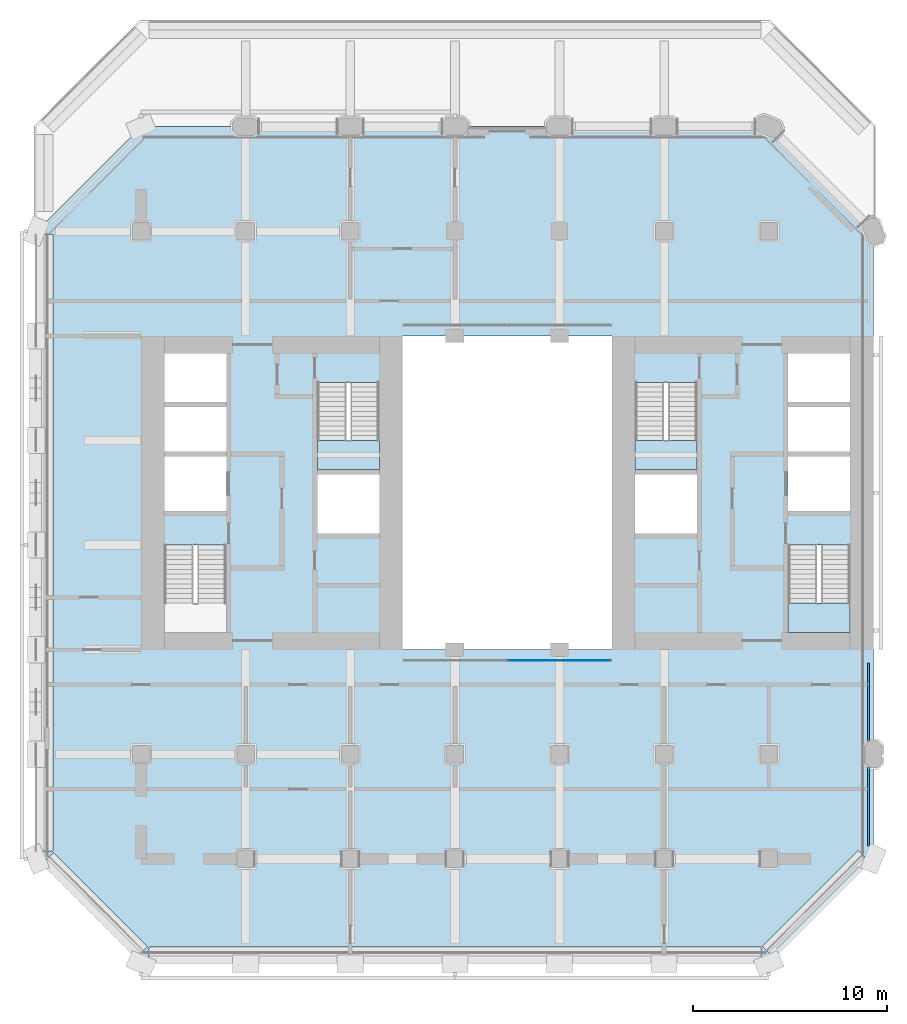
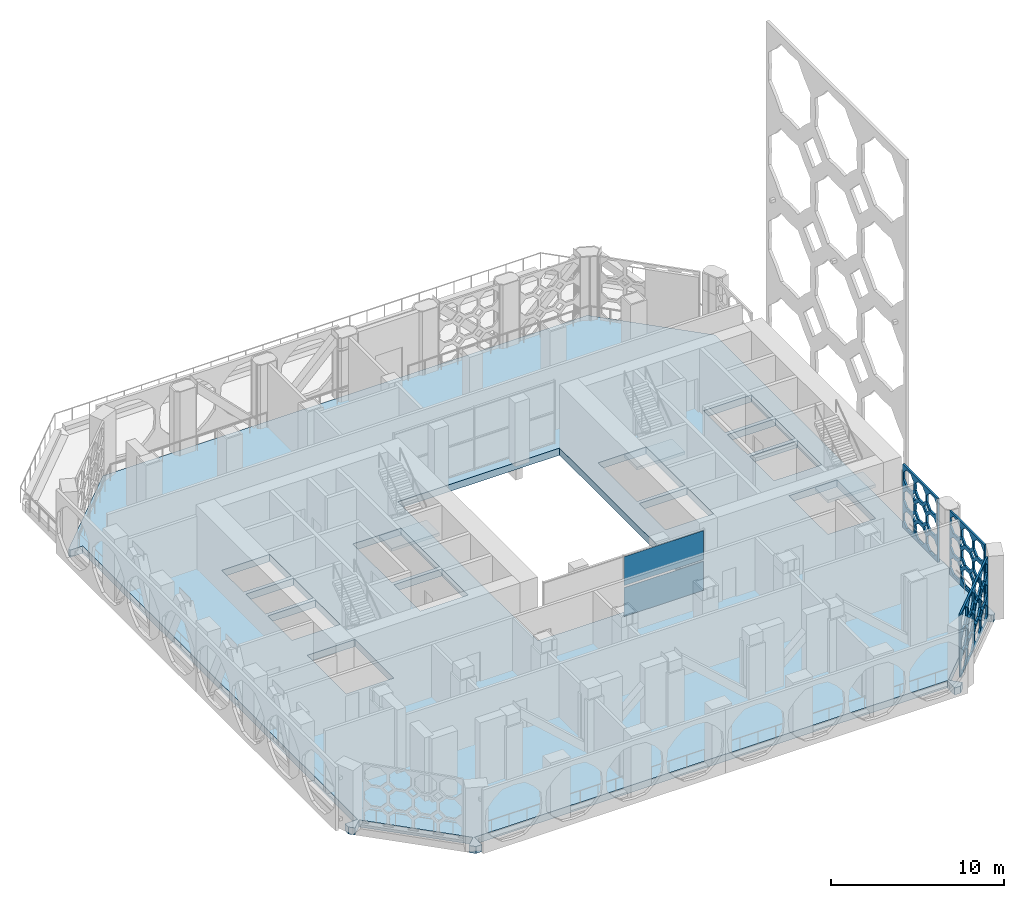
# One storey, part 6 of 17: 5 plates, 4 slabs, 4 elements without a shape of their own.
"""IFC4 building model written with IfcOpenShell, lengths in metres."""

from ifc_helpers import new_model, si_unit, direction, frame, origin, origin_2d, place, context, subcontext, project, spatial, polyline, rectangle, outline, extrude, material, layer, layer_set, type_object, element, aggregate, save


model = new_model("IFC4")

# Units and contexts
model_context = context("Model", 3, precision=1e-05, world=origin(), true_north=direction((0.0, 1.0)))
body_context = subcontext(model_context, "Body", "Model", "MODEL_VIEW")
ifc_project = project(units=[si_unit("LENGTHUNIT", "METRE"), si_unit("AREAUNIT", "SQUARE_METRE"), si_unit("VOLUMEUNIT", "CUBIC_METRE"), si_unit("PLANEANGLEUNIT", "RADIAN"), si_unit("MASSUNIT", "GRAM", prefix="KILO")], contexts=[model_context])

# Site, building, storey
site_placement = place(None, origin())
site = spatial("IfcSite", under=ifc_project, at=site_placement, CompositionType="ELEMENT")
building_placement = place(site_placement, origin())
building = spatial("IfcBuilding", under=site, at=building_placement, Name="Tabaq Tower and Sports Hall", CompositionType="ELEMENT")
storey_placement = place(building_placement, frame((0.0, 0.0, 125.800048828125)))
storey = spatial("IfcBuildingStorey", under=building, at=storey_placement, Name="L30", CompositionType="ELEMENT", Elevation=125.800048828125)

# Curtain wall, plates
ifc_material_1 = material(Name="Aluminium alloy 6063-T6 framed glazing", Category="aluminium")
curtain_wall_type = type_object("IfcCurtainWallType", Name="CW1 curtain wall", PredefinedType="USERDEFINED", material=ifc_material_1)
curtain_wall_placement = place(storey_placement, origin())
curtain_wall = element("IfcCurtainWall", 1, at=curtain_wall_placement, inside=storey, type_object=curtain_wall_type, Name="Atrium glazing L30 S", ObjectType="ATRIUM ENCLOSURE", PredefinedType="USERDEFINED")
ifc_material_2 = material(Name="Clear low-emissivity glass 28 mm", Category="glass")
ifc_layer_1 = layer(ifc_material_2, 0.028076171875)
ifc_layer_set_1 = layer_set([ifc_layer_1], Name="CW1 glass panel 28")
plate_type_1 = type_object("IfcPlateType", Name="CW1 glass panel 28", PredefinedType="CURTAIN_PANEL", material=ifc_layer_set_1)
plate_1_placement = place(storey_placement, frame((26.985107421875, 15.64990234375, 0.139892578125), z_axis=(0.0, 0.0, 1.0), x_axis=(1.0, 0.0, 0.0)))
plate_1 = element("IfcPlate", 2, at=plate_1_placement, type_object=plate_type_1, Name="CW1 panel 2.1", PredefinedType="CURTAIN_PANEL", context=body_context, shape_type="SweptSolid", body=[
    extrude(rectangle(XDim=5.31005859375, YDim=0.028076171875, at=origin_2d()), origin(), (0.0, 0.0, 1.0), 2.0400390625),
])
plate_2_placement = place(storey_placement, frame((26.985107421875, 15.64990234375, 2.31982421875), z_axis=(0.0, 0.0, 1.0), x_axis=(1.0, 0.0, 0.0)))
plate_2 = element("IfcPlate", 3, at=plate_2_placement, type_object=plate_type_1, Name="CW1 panel 2.2", PredefinedType="CURTAIN_PANEL", context=body_context, shape_type="SweptSolid", body=[
    extrude(rectangle(XDim=5.31005859375, YDim=0.028076171875, at=origin_2d()), origin(), (0.0, 0.0, 1.0), 2.0400390625),
])
aggregate(curtain_wall, [plate_1, plate_2])

# Stair, slab
ifc_material_3 = material(Name="Concrete C40/50", Category="concrete")
stair_type = type_object("IfcStairType", Name="Exit stair", PredefinedType="HALF_TURN_STAIR", material=ifc_material_3)
stair_1_placement = place(storey_placement, origin())
stair_1 = element("IfcStair", 4, at=stair_1_placement, inside=storey, type_object=stair_type, Name="L30 Exit stair ST2", PredefinedType="HALF_TURN_STAIR")
ifc_material_4 = material(Name="Concrete C40/50", Category="concrete")
ifc_layer_2 = layer(ifc_material_4, 0.199951171875)
ifc_layer_set_2 = layer_set([ifc_layer_2], Name="Exit stair landing")
slab_type_1 = type_object("IfcSlabType", Name="Exit stair landing", PredefinedType="LANDING", material=ifc_layer_set_2)
slab_1_placement = place(storey_placement, frame((0.0, 0.0, 2.199951171875)))
slab_1 = element("IfcSlab", 5, at=slab_1_placement, type_object=slab_type_1, Name="ST2 landing 1", PredefinedType="LANDING", context=body_context, shape_type="SweptSolid", body=[
    extrude(outline(polyline([(14.5, 27.0), (14.5, 25.5), (17.699951171875, 25.5), (17.699951171875, 27.0), (14.5, 27.0)])), origin(), (0.0, 0.0, 1.0), 0.199951171875),
])
aggregate(stair_1, [slab_1])

stair_2_placement = place(storey_placement, origin())
stair_2 = element("IfcStair", 6, at=stair_2_placement, inside=storey, type_object=stair_type, Name="L30 Exit stair ST3", PredefinedType="HALF_TURN_STAIR")
slab_2_placement = place(storey_placement, frame((0.0, 0.0, 2.199951171875)))
slab_2 = element("IfcSlab", 7, at=slab_2_placement, type_object=slab_type_1, Name="ST3 landing 1", PredefinedType="LANDING", context=body_context, shape_type="SweptSolid", body=[
    extrude(outline(polyline([(38.800048828125, 18.60009765625), (38.800048828125, 17.10009765625), (42.0, 17.10009765625), (42.0, 18.60009765625), (38.800048828125, 18.60009765625)])), origin(), (0.0, 0.0, 1.0), 0.199951171875),
])
aggregate(stair_2, [slab_2])

stair_3_placement = place(storey_placement, origin())
stair_3 = element("IfcStair", 8, at=stair_3_placement, inside=storey, type_object=stair_type, Name="L30 Exit stair ST4", PredefinedType="HALF_TURN_STAIR")
slab_3_placement = place(storey_placement, frame((0.0, 0.0, 2.199951171875)))
slab_3 = element("IfcSlab", 9, at=slab_3_placement, type_object=slab_type_1, Name="ST4 landing 1", PredefinedType="LANDING", context=body_context, shape_type="SweptSolid", body=[
    extrude(outline(polyline([(30.89990234375, 27.0), (30.89990234375, 25.5), (34.10009765625, 25.5), (34.10009765625, 27.0), (30.89990234375, 27.0)])), origin(), (0.0, 0.0, 1.0), 0.199951171875),
])
aggregate(stair_3, [slab_3])

# Slab
ifc_material_5 = material(Name="Concrete C40/50", Category="concrete")
ifc_layer_3 = layer(ifc_material_5, 0.5)
ifc_layer_set_3 = layer_set([ifc_layer_3], Name="PT FLOOR SLAB 500 C40/50")
slab_type_2 = type_object("IfcSlabType", Name="PT FLOOR SLAB 500 C40/50", PredefinedType="FLOOR", material=ifc_layer_set_3)
slab_4_placement = place(storey_placement, frame((0.0, 0.0, -0.5)))
element("IfcSlab", 10, at=slab_4_placement, inside=storey, type_object=slab_type_2, Name="Floor Slab L30", PredefinedType="FLOOR", context=body_context, shape_type="SweptSolid", body=[
    extrude(outline(polyline([(0.0, 5.802001953125), (0.0, 5.39990234375), (0.284423828125, 5.11572265625), (0.814697265625, 5.64599609375), (0.88525390625, 5.716796875), (5.716796875, 0.88525390625), (5.64599609375, 0.814697265625), (5.11572265625, 0.284423828125), (5.39990234375, 0.0), (5.802001953125, 0.0), (5.802001953125, 0.75), (5.802001953125, 0.85009765625), (37.39794921875, 0.85009765625), (37.39794921875, 0.75), (37.39794921875, 0.0), (37.800048828125, 0.0), (38.084228515625, 0.284423828125), (37.483154296875, 0.88525390625), (42.422119140625, 5.82421875), (42.492919921875, 5.753662109375), (43.023193359375, 5.22314453125), (43.199951171875, 5.39990234375), (43.199951171875, 37.800048828125), (37.800048828125, 43.199951171875), (5.39990234375, 43.199951171875), (0.0, 37.800048828125), (0.0, 37.63818359375), (0.75, 37.63818359375), (0.85009765625, 37.63818359375), (0.85009765625, 5.802001953125), (0.75, 5.802001953125), (0.0, 5.802001953125)]), holes=[polyline([(6.60009765625, 21.599365234375), (9.800048828125, 21.599365234375), (9.800048828125, 17.10009765625), (6.60009765625, 17.10009765625), (6.60009765625, 21.599365234375)]), polyline([(17.699951171875, 25.25), (17.699951171875, 22.199951171875), (14.5, 22.199951171875), (14.5, 25.25), (17.699951171875, 25.25)]), polyline([(18.89990234375, 32.39990234375), (29.699951171875, 32.39990234375), (29.699951171875, 16.199951171875), (18.89990234375, 16.199951171875), (18.89990234375, 32.39990234375)]), polyline([(6.60009765625, 26.175048828125), (9.800048828125, 26.175048828125), (9.800048828125, 23.35009765625), (6.60009765625, 23.35009765625), (6.60009765625, 26.175048828125)]), polyline([(9.800048828125, 28.72509765625), (9.800048828125, 26.425048828125), (6.60009765625, 26.425048828125), (6.60009765625, 28.72509765625), (9.800048828125, 28.72509765625)]), polyline([(17.699951171875, 29.99951171875), (17.699951171875, 25.5), (14.5, 25.5), (14.5, 29.99951171875), (17.699951171875, 29.99951171875)]), polyline([(6.60009765625, 31.5), (9.800048828125, 31.5), (9.800048828125, 28.97509765625), (6.60009765625, 28.97509765625), (6.60009765625, 31.5)]), polyline([(42.0, 21.599365234375), (42.0, 17.10009765625), (38.800048828125, 17.10009765625), (38.800048828125, 21.599365234375), (42.0, 21.599365234375)]), polyline([(34.10009765625, 25.25), (34.10009765625, 22.199951171875), (30.89990234375, 22.199951171875), (30.89990234375, 25.25), (34.10009765625, 25.25)]), polyline([(42.0, 26.175048828125), (42.0, 23.35009765625), (38.800048828125, 23.35009765625), (38.800048828125, 26.175048828125), (42.0, 26.175048828125)]), polyline([(42.0, 28.72509765625), (42.0, 26.425048828125), (38.800048828125, 26.425048828125), (38.800048828125, 28.72509765625), (42.0, 28.72509765625)]), polyline([(34.10009765625, 29.99951171875), (34.10009765625, 25.5), (30.89990234375, 25.5), (30.89990234375, 29.99951171875), (34.10009765625, 29.99951171875)]), polyline([(42.0, 31.5), (42.0, 28.97509765625), (38.800048828125, 28.97509765625), (38.800048828125, 31.5), (42.0, 31.5)])]), origin(), (0.0, 0.0, 1.0), 0.5),
])

# Plates
ifc_material_6 = material(Name="White precast concrete C60/75 pierced screen", Category="concrete")
ifc_layer_4 = layer(ifc_material_6, 0.1201171875)
ifc_layer_set_4 = layer_set([ifc_layer_4], Name="White precast concrete C60/75 screen 120")
plate_type_2 = type_object("IfcPlateType", Name="White precast concrete C60/75 screen 120", PredefinedType="USERDEFINED", material=ifc_layer_set_4)
plate_3_placement = place(storey_placement, frame((38.20654296875, 0.76025390625, 0.0), z_axis=(0.0, 0.0, 1.0), x_axis=(0.707127170949, 0.707086390836, 0.0)))
element("IfcPlate", 11, at=plate_3_placement, inside=storey, type_object=plate_type_2, Name="Pierced screen L30 SE", ObjectType="SCREEN", PredefinedType="USERDEFINED", context=body_context, shape_type="SweptSolid", body=[
    extrude(outline(polyline([(0.0, 0.0), (5.98681640625, 0.0), (5.98681640625, 4.5), (0.0, 4.5), (0.0, 0.0)]), holes=[polyline([(1.40966796875, 1.05712890625), (1.203857421875, 1.23876953125), (1.022216796875, 1.444580078125), (0.748291015625, 1.427490234375), (0.474365234375, 1.444580078125), (0.29296875, 1.23876953125), (0.087158203125, 1.05712890625), (0.104248046875, 0.783203125), (0.087158203125, 0.50927734375), (0.29296875, 0.327880859375), (0.474365234375, 0.1220703125), (0.748291015625, 0.13916015625), (1.022216796875, 0.1220703125), (1.203857421875, 0.327880859375), (1.40966796875, 0.50927734375), (1.392578125, 0.783203125), (1.40966796875, 1.05712890625)]), polyline([(1.40966796875, 2.52392578125), (1.203857421875, 2.705322265625), (1.022216796875, 2.9111328125), (0.748291015625, 2.89404296875), (0.474365234375, 2.9111328125), (0.29296875, 2.705322265625), (0.087158203125, 2.52392578125), (0.104248046875, 2.25), (0.087158203125, 1.97607421875), (0.29296875, 1.79443359375), (0.474365234375, 1.588623046875), (0.748291015625, 1.605712890625), (1.022216796875, 1.588623046875), (1.203857421875, 1.79443359375), (1.40966796875, 1.97607421875), (1.392578125, 2.25), (1.40966796875, 2.52392578125)]), polyline([(1.40966796875, 3.990478515625), (1.203857421875, 4.172119140625), (1.022216796875, 4.3779296875), (0.748291015625, 4.36083984375), (0.474365234375, 4.3779296875), (0.29296875, 4.172119140625), (0.087158203125, 3.990478515625), (0.104248046875, 3.716552734375), (0.087158203125, 3.442626953125), (0.29296875, 3.26123046875), (0.474365234375, 3.055419921875), (0.748291015625, 3.072509765625), (1.022216796875, 3.055419921875), (1.203857421875, 3.26123046875), (1.40966796875, 3.442626953125), (1.392578125, 3.716552734375), (1.40966796875, 3.990478515625)]), polyline([(2.90625, 1.05712890625), (2.700439453125, 1.23876953125), (2.51904296875, 1.444580078125), (2.2451171875, 1.427490234375), (1.97119140625, 1.444580078125), (1.78955078125, 1.23876953125), (1.583740234375, 1.05712890625), (1.600830078125, 0.783203125), (1.583740234375, 0.50927734375), (1.78955078125, 0.327880859375), (1.97119140625, 0.1220703125), (2.2451171875, 0.13916015625), (2.51904296875, 0.1220703125), (2.700439453125, 0.327880859375), (2.90625, 0.50927734375), (2.88916015625, 0.783203125), (2.90625, 1.05712890625)]), polyline([(2.90625, 2.52392578125), (2.700439453125, 2.705322265625), (2.51904296875, 2.9111328125), (2.2451171875, 2.89404296875), (1.97119140625, 2.9111328125), (1.78955078125, 2.705322265625), (1.583740234375, 2.52392578125), (1.600830078125, 2.25), (1.583740234375, 1.97607421875), (1.78955078125, 1.79443359375), (1.97119140625, 1.588623046875), (2.2451171875, 1.605712890625), (2.51904296875, 1.588623046875), (2.700439453125, 1.79443359375), (2.90625, 1.97607421875), (2.88916015625, 2.25), (2.90625, 2.52392578125)]), polyline([(2.90625, 3.990478515625), (2.700439453125, 4.172119140625), (2.51904296875, 4.3779296875), (2.2451171875, 4.36083984375), (1.97119140625, 4.3779296875), (1.78955078125, 4.172119140625), (1.583740234375, 3.990478515625), (1.600830078125, 3.716552734375), (1.583740234375, 3.442626953125), (1.78955078125, 3.26123046875), (1.97119140625, 3.055419921875), (2.2451171875, 3.072509765625), (2.51904296875, 3.055419921875), (2.700439453125, 3.26123046875), (2.90625, 3.442626953125), (2.88916015625, 3.716552734375), (2.90625, 3.990478515625)]), polyline([(4.403076171875, 1.05712890625), (4.197265625, 1.23876953125), (4.015625, 1.444580078125), (3.74169921875, 1.427490234375), (3.4677734375, 1.444580078125), (3.2861328125, 1.23876953125), (3.08056640625, 1.05712890625), (3.09765625, 0.783203125), (3.08056640625, 0.50927734375), (3.2861328125, 0.327880859375), (3.4677734375, 0.1220703125), (3.74169921875, 0.13916015625), (4.015625, 0.1220703125), (4.197265625, 0.327880859375), (4.403076171875, 0.50927734375), (4.385986328125, 0.783203125), (4.403076171875, 1.05712890625)]), polyline([(4.403076171875, 2.52392578125), (4.197265625, 2.705322265625), (4.015625, 2.9111328125), (3.74169921875, 2.89404296875), (3.4677734375, 2.9111328125), (3.2861328125, 2.705322265625), (3.08056640625, 2.52392578125), (3.09765625, 2.25), (3.08056640625, 1.97607421875), (3.2861328125, 1.79443359375), (3.4677734375, 1.588623046875), (3.74169921875, 1.605712890625), (4.015625, 1.588623046875), (4.197265625, 1.79443359375), (4.403076171875, 1.97607421875), (4.385986328125, 2.25), (4.403076171875, 2.52392578125)]), polyline([(4.403076171875, 3.990478515625), (4.197265625, 4.172119140625), (4.015625, 4.3779296875), (3.74169921875, 4.36083984375), (3.4677734375, 4.3779296875), (3.2861328125, 4.172119140625), (3.08056640625, 3.990478515625), (3.09765625, 3.716552734375), (3.08056640625, 3.442626953125), (3.2861328125, 3.26123046875), (3.4677734375, 3.055419921875), (3.74169921875, 3.072509765625), (4.015625, 3.055419921875), (4.197265625, 3.26123046875), (4.403076171875, 3.442626953125), (4.385986328125, 3.716552734375), (4.403076171875, 3.990478515625)]), polyline([(5.899658203125, 1.05712890625), (5.69384765625, 1.23876953125), (5.51220703125, 1.444580078125), (5.238525390625, 1.427490234375), (4.964599609375, 1.444580078125), (4.782958984375, 1.23876953125), (4.5771484375, 1.05712890625), (4.59423828125, 0.783203125), (4.5771484375, 0.50927734375), (4.782958984375, 0.327880859375), (4.964599609375, 0.1220703125), (5.238525390625, 0.13916015625), (5.51220703125, 0.1220703125), (5.69384765625, 0.327880859375), (5.899658203125, 0.50927734375), (5.882568359375, 0.783203125), (5.899658203125, 1.05712890625)]), polyline([(5.899658203125, 2.52392578125), (5.69384765625, 2.705322265625), (5.51220703125, 2.9111328125), (5.238525390625, 2.89404296875), (4.964599609375, 2.9111328125), (4.782958984375, 2.705322265625), (4.5771484375, 2.52392578125), (4.59423828125, 2.25), (4.5771484375, 1.97607421875), (4.782958984375, 1.79443359375), (4.964599609375, 1.588623046875), (5.238525390625, 1.605712890625), (5.51220703125, 1.588623046875), (5.69384765625, 1.79443359375), (5.899658203125, 1.97607421875), (5.882568359375, 2.25), (5.899658203125, 2.52392578125)]), polyline([(5.899658203125, 3.990478515625), (5.69384765625, 4.172119140625), (5.51220703125, 4.3779296875), (5.238525390625, 4.36083984375), (4.964599609375, 4.3779296875), (4.782958984375, 4.172119140625), (4.5771484375, 3.990478515625), (4.59423828125, 3.716552734375), (4.5771484375, 3.442626953125), (4.782958984375, 3.26123046875), (4.964599609375, 3.055419921875), (5.238525390625, 3.072509765625), (5.51220703125, 3.055419921875), (5.69384765625, 3.26123046875), (5.899658203125, 3.442626953125), (5.882568359375, 3.716552734375), (5.899658203125, 3.990478515625)]), polyline([(1.7900390625, 1.5166015625), (1.49658203125, 1.81005859375), (1.203369140625, 1.5166015625), (1.49658203125, 1.223388671875), (1.7900390625, 1.5166015625)]), polyline([(1.7900390625, 2.9833984375), (1.49658203125, 3.276611328125), (1.203369140625, 2.9833984375), (1.49658203125, 2.68994140625), (1.7900390625, 2.9833984375)]), polyline([(3.28662109375, 1.5166015625), (2.993408203125, 1.81005859375), (2.699951171875, 1.5166015625), (2.993408203125, 1.223388671875), (3.28662109375, 1.5166015625)]), polyline([(3.28662109375, 2.9833984375), (2.993408203125, 3.276611328125), (2.699951171875, 2.9833984375), (2.993408203125, 2.68994140625), (3.28662109375, 2.9833984375)]), polyline([(4.783447265625, 1.5166015625), (4.489990234375, 1.81005859375), (4.19677734375, 1.5166015625), (4.489990234375, 1.223388671875), (4.783447265625, 1.5166015625)]), polyline([(4.783447265625, 2.9833984375), (4.489990234375, 3.276611328125), (4.19677734375, 2.9833984375), (4.489990234375, 2.68994140625), (4.783447265625, 2.9833984375)])]), frame((0.0, 0.06005859375, 0.0), z_axis=(0.0, -1.0, 0.0), x_axis=(1.0, 0.0, 0.0)), (0.0, 0.0, 1.0), 0.1201171875),
])
plate_4_placement = place(storey_placement, frame((42.949951171875, 6.074951171875, 0.0), z_axis=(0.0, 0.0, 1.0), x_axis=(0.0, 1.0, 0.0)))
element("IfcPlate", 12, at=plate_4_placement, inside=storey, type_object=plate_type_2, Name="Pierced screen L30 E", ObjectType="SCREEN", PredefinedType="USERDEFINED", context=body_context, shape_type="SweptSolid", body=[
    extrude(outline(polyline([(0.0, 0.0), (4.050048828125, 0.0), (4.050048828125, 4.5), (0.0, 4.5), (0.0, 0.0)]), holes=[polyline([(1.28369140625, 1.035400390625), (1.09423828125, 1.20263671875), (0.927001953125, 1.391845703125), (0.675048828125, 1.376220703125), (0.4228515625, 1.391845703125), (0.255859375, 1.20263671875), (0.06640625, 1.035400390625), (0.08203125, 0.783203125), (0.06640625, 0.53125), (0.255859375, 0.364013671875), (0.4228515625, 0.174560546875), (0.675048828125, 0.1904296875), (0.927001953125, 0.174560546875), (1.09423828125, 0.364013671875), (1.28369140625, 0.53125), (1.267822265625, 0.783203125), (1.28369140625, 1.035400390625)]), polyline([(1.28369140625, 2.501953125), (1.09423828125, 2.669189453125), (0.927001953125, 2.858642578125), (0.675048828125, 2.8427734375), (0.4228515625, 2.858642578125), (0.255859375, 2.669189453125), (0.06640625, 2.501953125), (0.08203125, 2.25), (0.06640625, 1.997802734375), (0.255859375, 1.830810546875), (0.4228515625, 1.641357421875), (0.675048828125, 1.656982421875), (0.927001953125, 1.641357421875), (1.09423828125, 1.830810546875), (1.28369140625, 1.997802734375), (1.267822265625, 2.25), (1.28369140625, 2.501953125)]), polyline([(1.28369140625, 3.96875), (1.09423828125, 4.135986328125), (0.927001953125, 4.3251953125), (0.675048828125, 4.3095703125), (0.4228515625, 4.3251953125), (0.255859375, 4.135986328125), (0.06640625, 3.96875), (0.08203125, 3.716552734375), (0.06640625, 3.464599609375), (0.255859375, 3.29736328125), (0.4228515625, 3.10791015625), (0.675048828125, 3.123779296875), (0.927001953125, 3.10791015625), (1.09423828125, 3.29736328125), (1.28369140625, 3.464599609375), (1.267822265625, 3.716552734375), (1.28369140625, 3.96875)]), polyline([(2.633544921875, 1.035400390625), (2.4443359375, 1.20263671875), (2.277099609375, 1.391845703125), (2.02490234375, 1.376220703125), (1.77294921875, 1.391845703125), (1.605712890625, 1.20263671875), (1.416259765625, 1.035400390625), (1.43212890625, 0.783203125), (1.416259765625, 0.53125), (1.605712890625, 0.364013671875), (1.77294921875, 0.174560546875), (2.02490234375, 0.1904296875), (2.277099609375, 0.174560546875), (2.4443359375, 0.364013671875), (2.633544921875, 0.53125), (2.617919921875, 0.783203125), (2.633544921875, 1.035400390625)]), polyline([(2.633544921875, 2.501953125), (2.4443359375, 2.669189453125), (2.277099609375, 2.858642578125), (2.02490234375, 2.8427734375), (1.77294921875, 2.858642578125), (1.605712890625, 2.669189453125), (1.416259765625, 2.501953125), (1.43212890625, 2.25), (1.416259765625, 1.997802734375), (1.605712890625, 1.830810546875), (1.77294921875, 1.641357421875), (2.02490234375, 1.656982421875), (2.277099609375, 1.641357421875), (2.4443359375, 1.830810546875), (2.633544921875, 1.997802734375), (2.617919921875, 2.25), (2.633544921875, 2.501953125)]), polyline([(2.633544921875, 3.96875), (2.4443359375, 4.135986328125), (2.277099609375, 4.3251953125), (2.02490234375, 4.3095703125), (1.77294921875, 4.3251953125), (1.605712890625, 4.135986328125), (1.416259765625, 3.96875), (1.43212890625, 3.716552734375), (1.416259765625, 3.464599609375), (1.605712890625, 3.29736328125), (1.77294921875, 3.10791015625), (2.02490234375, 3.123779296875), (2.277099609375, 3.10791015625), (2.4443359375, 3.29736328125), (2.633544921875, 3.464599609375), (2.617919921875, 3.716552734375), (2.633544921875, 3.96875)]), polyline([(3.983642578125, 1.035400390625), (3.794189453125, 1.20263671875), (3.627197265625, 1.391845703125), (3.375, 1.376220703125), (3.122802734375, 1.391845703125), (2.955810546875, 1.20263671875), (2.766357421875, 1.035400390625), (2.781982421875, 0.783203125), (2.766357421875, 0.53125), (2.955810546875, 0.364013671875), (3.122802734375, 0.174560546875), (3.375, 0.1904296875), (3.627197265625, 0.174560546875), (3.794189453125, 0.364013671875), (3.983642578125, 0.53125), (3.968017578125, 0.783203125), (3.983642578125, 1.035400390625)]), polyline([(3.983642578125, 2.501953125), (3.794189453125, 2.669189453125), (3.627197265625, 2.858642578125), (3.375, 2.8427734375), (3.122802734375, 2.858642578125), (2.955810546875, 2.669189453125), (2.766357421875, 2.501953125), (2.781982421875, 2.25), (2.766357421875, 1.997802734375), (2.955810546875, 1.830810546875), (3.122802734375, 1.641357421875), (3.375, 1.656982421875), (3.627197265625, 1.641357421875), (3.794189453125, 1.830810546875), (3.983642578125, 1.997802734375), (3.968017578125, 2.25), (3.983642578125, 2.501953125)]), polyline([(3.983642578125, 3.96875), (3.794189453125, 4.135986328125), (3.627197265625, 4.3251953125), (3.375, 4.3095703125), (3.122802734375, 4.3251953125), (2.955810546875, 4.135986328125), (2.766357421875, 3.96875), (2.781982421875, 3.716552734375), (2.766357421875, 3.464599609375), (2.955810546875, 3.29736328125), (3.122802734375, 3.10791015625), (3.375, 3.123779296875), (3.627197265625, 3.10791015625), (3.794189453125, 3.29736328125), (3.983642578125, 3.464599609375), (3.968017578125, 3.716552734375), (3.983642578125, 3.96875)]), polyline([(1.6201171875, 1.5166015625), (1.35009765625, 1.78662109375), (1.080078125, 1.5166015625), (1.35009765625, 1.24658203125), (1.6201171875, 1.5166015625)]), polyline([(1.6201171875, 2.9833984375), (1.35009765625, 3.253173828125), (1.080078125, 2.9833984375), (1.35009765625, 2.71337890625), (1.6201171875, 2.9833984375)]), polyline([(2.969970703125, 1.5166015625), (2.699951171875, 1.78662109375), (2.429931640625, 1.5166015625), (2.699951171875, 1.24658203125), (2.969970703125, 1.5166015625)]), polyline([(2.969970703125, 2.9833984375), (2.699951171875, 3.253173828125), (2.429931640625, 2.9833984375), (2.699951171875, 2.71337890625), (2.969970703125, 2.9833984375)])]), frame((0.0, 0.06005859375, 0.0), z_axis=(0.0, -1.0, 0.0), x_axis=(1.0, 0.0, 0.0)), (0.0, 0.0, 1.0), 0.1201171875),
])
plate_5_placement = place(storey_placement, frame((42.949951171875, 11.47509765625, 0.0), z_axis=(0.0, 0.0, 1.0), x_axis=(0.0, 1.0, 0.0)))
element("IfcPlate", 13, at=plate_5_placement, inside=storey, type_object=plate_type_2, Name="Pierced screen L30 E", ObjectType="SCREEN", PredefinedType="USERDEFINED", context=body_context, shape_type="SweptSolid", body=[
    extrude(outline(polyline([(0.0, 0.0), (4.0498046875, 0.0), (4.0498046875, 4.5), (0.0, 4.5), (0.0, 0.0)]), holes=[polyline([(1.28369140625, 1.035400390625), (1.09423828125, 1.20263671875), (0.927001953125, 1.391845703125), (0.675048828125, 1.376220703125), (0.4228515625, 1.391845703125), (0.255859375, 1.20263671875), (0.06640625, 1.035400390625), (0.08203125, 0.783203125), (0.06640625, 0.53125), (0.255859375, 0.364013671875), (0.4228515625, 0.174560546875), (0.675048828125, 0.1904296875), (0.927001953125, 0.174560546875), (1.09423828125, 0.364013671875), (1.28369140625, 0.53125), (1.267822265625, 0.783203125), (1.28369140625, 1.035400390625)]), polyline([(1.28369140625, 2.501953125), (1.09423828125, 2.669189453125), (0.927001953125, 2.858642578125), (0.675048828125, 2.8427734375), (0.4228515625, 2.858642578125), (0.255859375, 2.669189453125), (0.06640625, 2.501953125), (0.08203125, 2.25), (0.06640625, 1.997802734375), (0.255859375, 1.830810546875), (0.4228515625, 1.641357421875), (0.675048828125, 1.656982421875), (0.927001953125, 1.641357421875), (1.09423828125, 1.830810546875), (1.28369140625, 1.997802734375), (1.267822265625, 2.25), (1.28369140625, 2.501953125)]), polyline([(1.28369140625, 3.96875), (1.09423828125, 4.135986328125), (0.927001953125, 4.3251953125), (0.675048828125, 4.3095703125), (0.4228515625, 4.3251953125), (0.255859375, 4.135986328125), (0.06640625, 3.96875), (0.08203125, 3.716552734375), (0.06640625, 3.464599609375), (0.255859375, 3.29736328125), (0.4228515625, 3.10791015625), (0.675048828125, 3.123779296875), (0.927001953125, 3.10791015625), (1.09423828125, 3.29736328125), (1.28369140625, 3.464599609375), (1.267822265625, 3.716552734375), (1.28369140625, 3.96875)]), polyline([(2.633544921875, 1.035400390625), (2.4443359375, 1.20263671875), (2.277099609375, 1.391845703125), (2.02490234375, 1.376220703125), (1.77294921875, 1.391845703125), (1.605712890625, 1.20263671875), (1.416259765625, 1.035400390625), (1.43212890625, 0.783203125), (1.416259765625, 0.53125), (1.605712890625, 0.364013671875), (1.77294921875, 0.174560546875), (2.02490234375, 0.1904296875), (2.277099609375, 0.174560546875), (2.4443359375, 0.364013671875), (2.633544921875, 0.53125), (2.617919921875, 0.783203125), (2.633544921875, 1.035400390625)]), polyline([(2.633544921875, 2.501953125), (2.4443359375, 2.669189453125), (2.277099609375, 2.858642578125), (2.02490234375, 2.8427734375), (1.77294921875, 2.858642578125), (1.605712890625, 2.669189453125), (1.416259765625, 2.501953125), (1.43212890625, 2.25), (1.416259765625, 1.997802734375), (1.605712890625, 1.830810546875), (1.77294921875, 1.641357421875), (2.02490234375, 1.656982421875), (2.277099609375, 1.641357421875), (2.4443359375, 1.830810546875), (2.633544921875, 1.997802734375), (2.617919921875, 2.25), (2.633544921875, 2.501953125)]), polyline([(2.633544921875, 3.96875), (2.4443359375, 4.135986328125), (2.277099609375, 4.3251953125), (2.02490234375, 4.3095703125), (1.77294921875, 4.3251953125), (1.605712890625, 4.135986328125), (1.416259765625, 3.96875), (1.43212890625, 3.716552734375), (1.416259765625, 3.464599609375), (1.605712890625, 3.29736328125), (1.77294921875, 3.10791015625), (2.02490234375, 3.123779296875), (2.277099609375, 3.10791015625), (2.4443359375, 3.29736328125), (2.633544921875, 3.464599609375), (2.617919921875, 3.716552734375), (2.633544921875, 3.96875)]), polyline([(3.983642578125, 1.035400390625), (3.794189453125, 1.20263671875), (3.627197265625, 1.391845703125), (3.375, 1.376220703125), (3.122802734375, 1.391845703125), (2.955810546875, 1.20263671875), (2.766357421875, 1.035400390625), (2.781982421875, 0.783203125), (2.766357421875, 0.53125), (2.955810546875, 0.364013671875), (3.122802734375, 0.174560546875), (3.375, 0.1904296875), (3.627197265625, 0.174560546875), (3.794189453125, 0.364013671875), (3.983642578125, 0.53125), (3.968017578125, 0.783203125), (3.983642578125, 1.035400390625)]), polyline([(3.983642578125, 2.501953125), (3.794189453125, 2.669189453125), (3.627197265625, 2.858642578125), (3.375, 2.8427734375), (3.122802734375, 2.858642578125), (2.955810546875, 2.669189453125), (2.766357421875, 2.501953125), (2.781982421875, 2.25), (2.766357421875, 1.997802734375), (2.955810546875, 1.830810546875), (3.122802734375, 1.641357421875), (3.375, 1.656982421875), (3.627197265625, 1.641357421875), (3.794189453125, 1.830810546875), (3.983642578125, 1.997802734375), (3.968017578125, 2.25), (3.983642578125, 2.501953125)]), polyline([(3.983642578125, 3.96875), (3.794189453125, 4.135986328125), (3.627197265625, 4.3251953125), (3.375, 4.3095703125), (3.122802734375, 4.3251953125), (2.955810546875, 4.135986328125), (2.766357421875, 3.96875), (2.781982421875, 3.716552734375), (2.766357421875, 3.464599609375), (2.955810546875, 3.29736328125), (3.122802734375, 3.10791015625), (3.375, 3.123779296875), (3.627197265625, 3.10791015625), (3.794189453125, 3.29736328125), (3.983642578125, 3.464599609375), (3.968017578125, 3.716552734375), (3.983642578125, 3.96875)]), polyline([(1.6201171875, 1.5166015625), (1.35009765625, 1.78662109375), (1.080078125, 1.5166015625), (1.35009765625, 1.24658203125), (1.6201171875, 1.5166015625)]), polyline([(1.6201171875, 2.9833984375), (1.35009765625, 3.253173828125), (1.080078125, 2.9833984375), (1.35009765625, 2.71337890625), (1.6201171875, 2.9833984375)]), polyline([(2.969970703125, 1.5166015625), (2.699951171875, 1.78662109375), (2.429931640625, 1.5166015625), (2.699951171875, 1.24658203125), (2.969970703125, 1.5166015625)]), polyline([(2.969970703125, 2.9833984375), (2.699951171875, 3.253173828125), (2.429931640625, 2.9833984375), (2.699951171875, 2.71337890625), (2.969970703125, 2.9833984375)])]), frame((0.0, 0.06005859375, 0.0), z_axis=(0.0, -1.0, 0.0), x_axis=(1.0, 0.0, 0.0)), (0.0, 0.0, 1.0), 0.1201171875),
])

save(model, "model.ifc")
